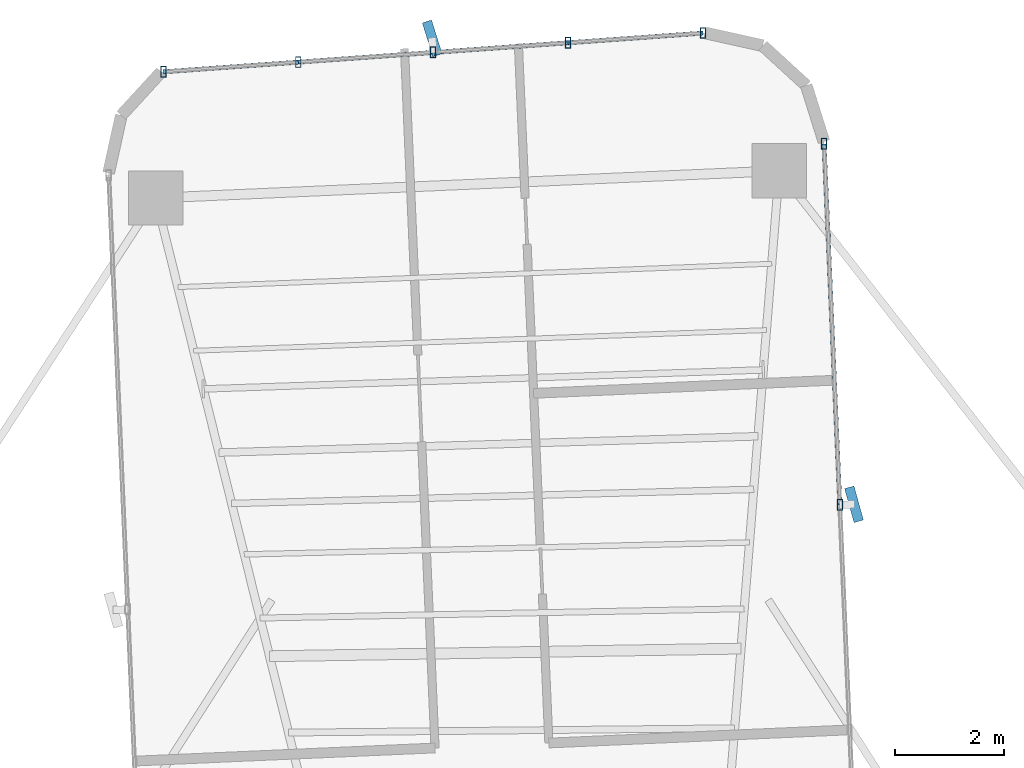
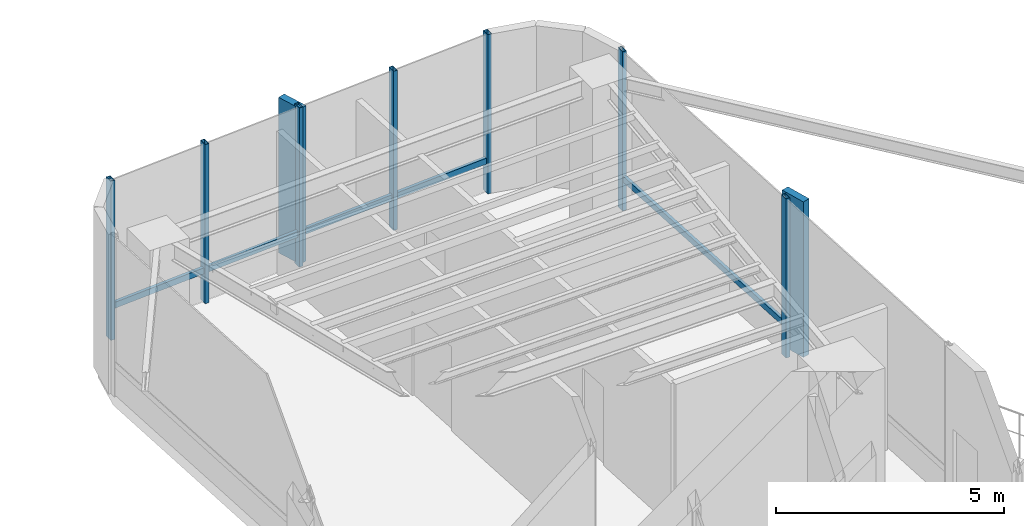
# One storey, part 13 of 21: 14 members, 2 elements without a shape of their own.
"""IFC4 building model written with IfcOpenShell, lengths in metres."""

from ifc_helpers import new_model, si_unit, direction, frame, origin, origin_2d, place, context, subcontext, project, spatial, rectangle, hollow_rectangle, extrude, source, transform, mapped, material, material_profile, profile_set, type_object, element, aggregate, save


model = new_model("IFC4")

# Units and contexts
model_context = context("Model", 3, precision=1e-05, world=origin(), true_north=direction((0.0, 1.0)))
body_context = subcontext(model_context, "Body", "Model", "MODEL_VIEW")
ifc_project = project(units=[si_unit("LENGTHUNIT", "METRE"), si_unit("AREAUNIT", "SQUARE_METRE"), si_unit("VOLUMEUNIT", "CUBIC_METRE"), si_unit("PLANEANGLEUNIT", "RADIAN"), si_unit("MASSUNIT", "GRAM", prefix="KILO")], contexts=[model_context])

# Site, building, storey
site_placement = place(None, origin())
site = spatial("IfcSite", under=ifc_project, at=site_placement, CompositionType="ELEMENT")
building_placement = place(site_placement, origin())
building = spatial("IfcBuilding", under=site, at=building_placement, Name="Sahyath Konkavel Grand Hotel", CompositionType="ELEMENT")
storey_placement = place(building_placement, frame((0.0, 0.0, 79.0)))
storey = spatial("IfcBuildingStorey", under=building, at=storey_placement, Name="L21", CompositionType="ELEMENT", Elevation=79.0)

# Curtain wall, members
ifc_material_1 = material(Name="Anodised Bronze Aluminium & Low-E Glazing", Category="aluminium")
curtain_wall_type = type_object("IfcCurtainWallType", Name="CW-SKYLOBBY", PredefinedType="NOTDEFINED", material=ifc_material_1)
curtain_wall_1_placement = place(storey_placement, origin())
curtain_wall_1 = element("IfcCurtainWall", 1, at=curtain_wall_1_placement, inside=storey, type_object=curtain_wall_type, Name="L21 Unitised Curtain Wall F8", PredefinedType="NOTDEFINED")
ifc_material_2 = material(Name="Anodised Bronze Aluminium", Category="aluminium")
ifc_material_profile_1 = material_profile(ifc_material_2, hollow_rectangle(XDim=0.10009765625, YDim=0.199951171875, WallThickness=0.008056640625, at=origin_2d()), Name="RHS 200x100x8")
ifc_profile_set_1 = profile_set([ifc_material_profile_1], Name="Anodised Bronze Aluminium")
member_type_1 = type_object("IfcMemberType", Name="CW-MUL-200", PredefinedType="MULLION", material=ifc_profile_set_1)
shared_shape_1 = source(origin(), body_context, "Body", "SweptSolid", [
    extrude(hollow_rectangle(XDim=0.10009765625, YDim=0.199951171875, WallThickness=0.008056640625, at=origin_2d()), origin(), (0.0, 0.0, 1.0), 4.260009765625),
])
member_1_placement = place(storey_placement, frame((5.895751953125, 16.272705078125, 0.0), z_axis=(0.0, 0.0, 1.0), x_axis=(1.0, 0.0, 0.0)))
member_1 = element("IfcMember", 2, at=member_1_placement, type_object=member_type_1, Name="L21 Curtain Wall Mullion F8-1", PredefinedType="MULLION", context=body_context, shape_type="MappedRepresentation", body=[
    mapped(shared_shape_1, transform((0.0, 0.0, 0.0), scale=1.0)),
])
member_2_placement = place(storey_placement, frame((5.605224609375, 22.92626953125, 0.0), z_axis=(0.0, 0.0, 1.0), x_axis=(1.0, 0.0, 0.0)))
member_2 = element("IfcMember", 3, at=member_2_placement, type_object=member_type_1, Name="L21 Curtain Wall Mullion F8-2", PredefinedType="MULLION", context=body_context, shape_type="MappedRepresentation", body=[
    mapped(shared_shape_1, transform((0.0, 0.0, 0.0), scale=1.0)),
])

curtain_wall_2_placement = place(storey_placement, origin())
curtain_wall_2 = element("IfcCurtainWall", 4, at=curtain_wall_2_placement, inside=storey, type_object=curtain_wall_type, Name="L21 Unitised Curtain Wall F12", PredefinedType="NOTDEFINED")
member_3_placement = place(storey_placement, frame((3.3740234375, 24.9697265625, 0.0), z_axis=(0.0, 0.0, 1.0), x_axis=(1.0, 0.0, 0.0)))
member_3 = element("IfcMember", 5, at=member_3_placement, type_object=member_type_1, Name="L21 Curtain Wall Mullion F12-0", PredefinedType="MULLION", context=body_context, shape_type="MappedRepresentation", body=[
    mapped(shared_shape_1, transform((0.0, 0.0, 0.0), scale=1.0)),
])
member_4_placement = place(storey_placement, frame((0.886962890625, 24.79150390625, 0.0), z_axis=(0.0, 0.0, 1.0), x_axis=(1.0, 0.0, 0.0)))
member_4 = element("IfcMember", 6, at=member_4_placement, type_object=member_type_1, Name="L21 Curtain Wall Mullion F12-1", PredefinedType="MULLION", context=body_context, shape_type="MappedRepresentation", body=[
    mapped(shared_shape_1, transform((0.0, 0.0, 0.0), scale=1.0)),
])
member_5_placement = place(storey_placement, frame((-1.60009765625, 24.61279296875, 0.0), z_axis=(0.0, 0.0, 1.0), x_axis=(1.0, 0.0, 0.0)))
member_5 = element("IfcMember", 7, at=member_5_placement, type_object=member_type_1, Name="L21 Curtain Wall Mullion F12-2", PredefinedType="MULLION", context=body_context, shape_type="MappedRepresentation", body=[
    mapped(shared_shape_1, transform((0.0, 0.0, 0.0), scale=1.0)),
])
member_6_placement = place(storey_placement, frame((-4.087158203125, 24.4345703125, 0.0), z_axis=(0.0, 0.0, 1.0), x_axis=(1.0, 0.0, 0.0)))
member_6 = element("IfcMember", 8, at=member_6_placement, type_object=member_type_1, Name="L21 Curtain Wall Mullion F12-3", PredefinedType="MULLION", context=body_context, shape_type="MappedRepresentation", body=[
    mapped(shared_shape_1, transform((0.0, 0.0, 0.0), scale=1.0)),
])
member_7_placement = place(storey_placement, frame((-6.57421875, 24.256103515625, 0.0), z_axis=(0.0, 0.0, 1.0), x_axis=(1.0, 0.0, 0.0)))
member_7 = element("IfcMember", 9, at=member_7_placement, type_object=member_type_1, Name="L21 Curtain Wall Mullion F12-4", PredefinedType="MULLION", context=body_context, shape_type="MappedRepresentation", body=[
    mapped(shared_shape_1, transform((0.0, 0.0, 0.0), scale=1.0)),
])

# Member
ifc_material_3 = material(Name="Warm Buff Sandstone Cladding on Concrete C50/60", Category="masonry")
ifc_material_profile_2 = material_profile(ifc_material_3, rectangle(XDim=0.179931640625, YDim=0.64990234375, at=origin_2d()), Name="FIN 180x650")
ifc_profile_set_2 = profile_set([ifc_material_profile_2], Name="Warm Buff Sandstone Cladding on Concrete C50/60")
member_type_2 = type_object("IfcMemberType", Name="FIN-SANDSTONE-650", PredefinedType="MULLION", material=ifc_profile_set_2)
shared_shape_2 = source(origin(), body_context, "Body", "SweptSolid", [
    extrude(rectangle(XDim=0.179931640625, YDim=0.64990234375, at=origin_2d()), origin(), (0.0, 0.0, 1.0), 4.159912109375),
])
member_8_placement = place(storey_placement, frame((6.155517578125, 16.283935546875, 0.050048828125), z_axis=(0.0, 0.0, 1.0), x_axis=(0.963677080427, 0.267070186767, 0.0)))
member_8 = element("IfcMember", 10, at=member_8_placement, type_object=member_type_2, Name="L21 Sandstone Vertical Solar Fin FIN F8-1", PredefinedType="MULLION", context=body_context, shape_type="MappedRepresentation", body=[
    mapped(shared_shape_2, transform((0.0, 0.0, 0.0), scale=1.0)),
])

member_9_placement = place(storey_placement, frame((-1.61865234375, 24.872314453125, 0.050048828125), z_axis=(0.0, 0.0, 1.0), x_axis=(0.954083620326, 0.299540390309, 0.0)))
member_9 = element("IfcMember", 11, at=member_9_placement, type_object=member_type_2, Name="L21 Sandstone Vertical Solar Fin FIN F12-2", PredefinedType="MULLION", context=body_context, shape_type="MappedRepresentation", body=[
    mapped(shared_shape_2, transform((0.0, 0.0, 0.0), scale=1.0)),
])

ifc_material_profile_3 = material_profile(ifc_material_2, hollow_rectangle(XDim=0.080078125, YDim=0.159912109375, WallThickness=0.006103515625, at=origin_2d()), Name="RHS 160x80x6")
ifc_profile_set_3 = profile_set([ifc_material_profile_3], Name="Anodised Bronze Aluminium")
member_type_3 = type_object("IfcMemberType", Name="CW-TRN-160", PredefinedType="USERDEFINED", material=ifc_profile_set_3)
shared_shape_3 = source(origin(), body_context, "Body", "SweptSolid", [
    extrude(hollow_rectangle(XDim=0.080078125, YDim=0.159912109375, WallThickness=0.006103515625, at=origin_2d()), origin(), (0.0, 0.0, 1.0), 2.493408203125),
])
member_10_placement = place(storey_placement, frame((3.3740234375, 24.9697265625, 0.85009765625), z_axis=(-0.997442271688, -0.071476672066, 0.0), x_axis=(0.071476672066, -0.997442271688, 0.0)))
member_10 = element("IfcMember", 12, at=member_10_placement, type_object=member_type_3, Name="L21 Curtain Wall Transom F12-0-spandrel", ObjectType="TRANSOM", PredefinedType="USERDEFINED", context=body_context, shape_type="MappedRepresentation", body=[
    mapped(shared_shape_3, transform((0.0, 0.0, 0.0), scale=1.0)),
])

member_11_placement = place(storey_placement, frame((0.886962890625, 24.79150390625, 0.85009765625), z_axis=(-0.997428291631, -0.071671494009, 0.0), x_axis=(0.071671494009, -0.997428291631, 0.0)))
member_11 = element("IfcMember", 13, at=member_11_placement, type_object=member_type_3, Name="L21 Curtain Wall Transom F12-1-spandrel", ObjectType="TRANSOM", PredefinedType="USERDEFINED", context=body_context, shape_type="MappedRepresentation", body=[
    mapped(shared_shape_3, transform((0.0, 0.0, 0.0), scale=1.0)),
])

member_12_placement = place(storey_placement, frame((-1.60009765625, 24.61279296875, 0.85009765625), z_axis=(-0.997442271688, -0.071476672066, 0.0), x_axis=(0.071476672066, -0.997442271688, 0.0)))
member_12 = element("IfcMember", 14, at=member_12_placement, type_object=member_type_3, Name="L21 Curtain Wall Transom F12-2-spandrel", ObjectType="TRANSOM", PredefinedType="USERDEFINED", context=body_context, shape_type="MappedRepresentation", body=[
    mapped(shared_shape_3, transform((0.0, 0.0, 0.0), scale=1.0)),
])

member_13_placement = place(storey_placement, frame((-4.087158203125, 24.4345703125, 0.85009765625), z_axis=(-0.997435286367, -0.071574084062, 0.0), x_axis=(0.071574084062, -0.997435286367, 0.0)))
member_13 = element("IfcMember", 15, at=member_13_placement, type_object=member_type_3, Name="L21 Curtain Wall Transom F12-3-spandrel", ObjectType="TRANSOM", PredefinedType="USERDEFINED", context=body_context, shape_type="MappedRepresentation", body=[
    mapped(shared_shape_3, transform((0.0, 0.0, 0.0), scale=1.0)),
])

aggregate(curtain_wall_2, [member_3, member_4, member_5, member_9, member_6, member_7, member_10, member_11, member_12, member_13])

shared_shape_4 = source(origin(), body_context, "Body", "SweptSolid", [
    extrude(hollow_rectangle(XDim=0.080078125, YDim=0.159912109375, WallThickness=0.006103515625, at=origin_2d()), origin(), (0.0, 0.0, 1.0), 6.659912109375),
])
member_14_placement = place(storey_placement, frame((5.895751953125, 16.272705078125, 0.85009765625), z_axis=(-0.043623350741, 0.999048048529, 0.0), x_axis=(-0.999048048529, -0.043623350741, 0.0)))
member_14 = element("IfcMember", 16, at=member_14_placement, type_object=member_type_3, Name="L21 Curtain Wall Transom F8-1-spandrel", ObjectType="TRANSOM", PredefinedType="USERDEFINED", context=body_context, shape_type="MappedRepresentation", body=[
    mapped(shared_shape_4, transform((0.0, 0.0, 0.0), scale=1.0)),
])

aggregate(curtain_wall_1, [member_1, member_8, member_2, member_14])

save(model, "model.ifc")
